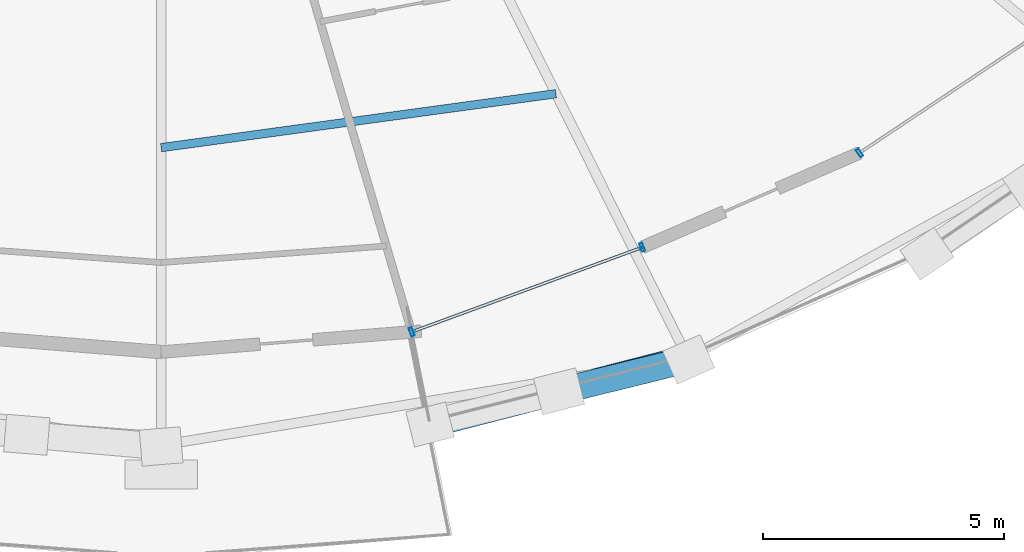
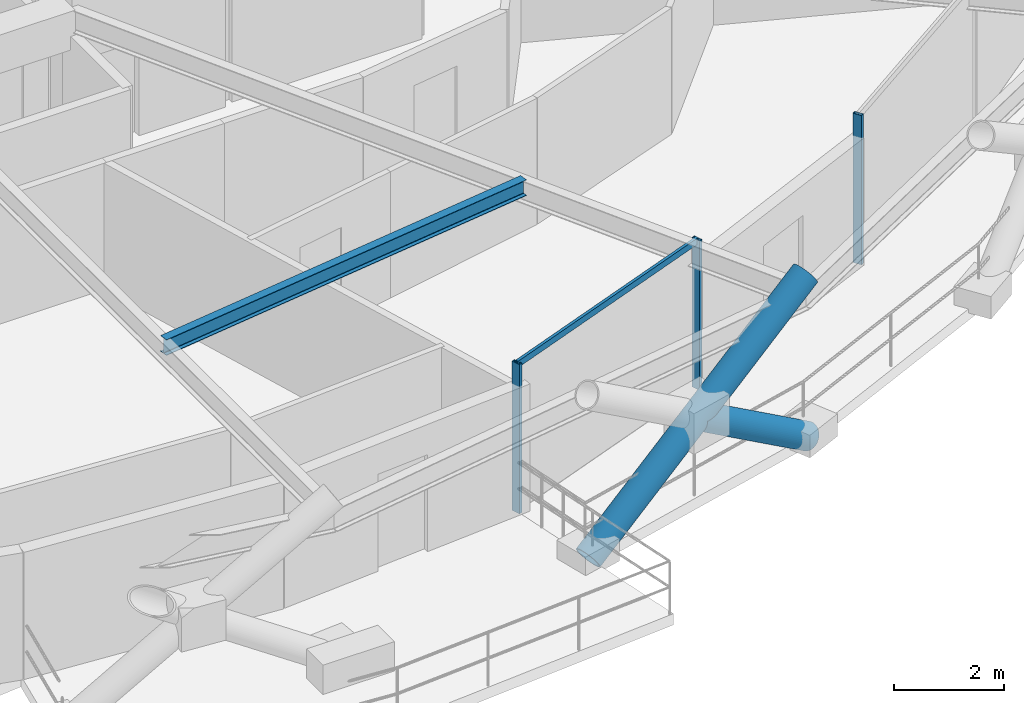
# One storey, part 2 of 12: 6 members, 1 beam, 2 elements without a shape of their own.
"""IFC4 building model written with IfcOpenShell, lengths in metres."""

import ifcopenshell
import ifcopenshell.guid

model = None  # the IFC model being written
_history = None  # IfcOwnerHistory: only IFC2X3 demands one
_inside = {}  # id of a spatial element -> (the spatial element, [elements in it])
_under = {}  # id of a project, library or spatial element -> (it, [spatial elements below it])
_declared = {}  # id of a project -> (the project, [libraries it declares])
_typed = {}  # id of a type object -> (the type object, [elements of that type])
_made_of = {}  # id of a material, layer set ... -> (it, [elements and type objects made of it])


def new_model(schema):
    """Start an empty IFC model of exactly this schema.

    Asked for "IFC4X3", IfcOpenShell would pick the latest addendum, in which some entities
    have other attributes; the version numbers below select the first issue.
    IFC2X3 requires an IfcOwnerHistory on every rooted entity: one is made here for all.
    """
    global model, _history
    if schema == "IFC4X3":
        model = ifcopenshell.file(schema_version=(4, 3, 0, 0))
    else:
        model = ifcopenshell.file(schema=schema)
    _inside.clear()
    _under.clear()
    _declared.clear()
    _typed.clear()
    _made_of.clear()
    _history = None
    if model.schema == "IFC2X3":
        org = make("IfcOrganization", Name="unknown")
        user = make(
            "IfcPersonAndOrganization",
            ThePerson=make("IfcPerson", FamilyName="unknown"),
            TheOrganization=org,
        )
        app = make(
            "IfcApplication",
            ApplicationDeveloper=org,
            Version="unknown",
            ApplicationFullName="unknown",
            ApplicationIdentifier="unknown",
        )
        _history = make(
            "IfcOwnerHistory",
            OwningUser=user,
            OwningApplication=app,
            ChangeAction="ADDED",
            CreationDate=0,
        )
    return model


def make(cls, **values):
    """One entity of the class cls with the attributes given. An attribute that is None is left unset."""
    return model.create_entity(
        cls, **{name: value for name, value in values.items() if value is not None}
    )


def rooted(cls, **values):
    """An entity with a GlobalId (a new one), such as an element, a storey or a relation."""
    return make(cls, GlobalId=ifcopenshell.guid.new(), OwnerHistory=_history, **values)


def si_unit(unit_type, name, prefix=None):
    """IfcSIUnit, for example si_unit("LENGTHUNIT", "METRE", prefix="MILLI")."""
    return make("IfcSIUnit", UnitType=unit_type, Prefix=prefix, Name=name)


def assignment(units):
    """IfcUnitAssignment: the units of a project."""
    return None if units is None else make("IfcUnitAssignment", Units=units)


def point(xyz):
    """IfcCartesianPoint."""
    return None if xyz is None else make("IfcCartesianPoint", Coordinates=xyz)


def direction(xyz):
    """IfcDirection."""
    return None if xyz is None else make("IfcDirection", DirectionRatios=xyz)


def frame(location, z_axis=None, x_axis=None):
    """IfcAxis2Placement3D, a coordinate frame: its origin and axes. An axis left out is left unset."""
    return make(
        "IfcAxis2Placement3D",
        Location=point(location),
        Axis=direction(z_axis),
        RefDirection=direction(x_axis),
    )


def frame_2d(location, x_axis=None):
    """IfcAxis2Placement2D, a coordinate frame in the plane: its origin and x axis."""
    return make(
        "IfcAxis2Placement2D", Location=point(location), RefDirection=direction(x_axis)
    )


def origin():
    """The frame at (0, 0, 0) with its axes left unset."""
    return frame((0.0, 0.0, 0.0))


def origin_2d():
    """The frame at (0, 0) in the plane with its x axis left unset."""
    return frame_2d((0.0, 0.0))


def place(relative_to, where):
    """IfcLocalPlacement: puts the frame where relative to a parent placement (None: the world)."""
    return make(
        "IfcLocalPlacement", PlacementRelTo=relative_to, RelativePlacement=where
    )


def context(
    kind, dimensions, precision=None, world=None, true_north=None, identifier=None
):
    """IfcGeometricRepresentationContext, for example the 3D "Model" context."""
    return make(
        "IfcGeometricRepresentationContext",
        ContextIdentifier=identifier,
        ContextType=kind,
        CoordinateSpaceDimension=dimensions,
        Precision=precision,
        WorldCoordinateSystem=world,
        TrueNorth=true_north,
    )


def subcontext(parent, identifier, kind, view, scale=None):
    """IfcGeometricRepresentationSubContext, for example "Body" below "Model"."""
    return make(
        "IfcGeometricRepresentationSubContext",
        ContextIdentifier=identifier,
        ContextType=kind,
        ParentContext=parent,
        TargetScale=scale,
        TargetView=view,
    )


def project(units=None, contexts=None):
    """IfcProject with its units and contexts."""
    return rooted(
        "IfcProject",
        Name="project",
        RepresentationContexts=contexts,
        UnitsInContext=assignment(units),
    )


def spatial(cls, under=None, at=None, **own):
    """A site, building, storey or space (cls), placed at a placement, below another one or the project."""
    s = rooted(cls, ObjectPlacement=at, **own)
    if under is not None:
        _under.setdefault(under.id(), (under, []))[1].append(s)
    return s


def profile(cls, at=None, kind="AREA", **sizes):
    """A parametric profile (cls). Its sizes go by their IFC names, for example OverallWidth=200.0."""
    return make(cls, ProfileType=kind, Position=at, **sizes)


def hollow_rectangle(**sizes):
    """IfcRectangleHollowProfileDef."""
    return profile("IfcRectangleHollowProfileDef", **sizes)


def hollow_circle(**sizes):
    """IfcCircleHollowProfileDef."""
    return profile("IfcCircleHollowProfileDef", **sizes)


def i_section(**sizes):
    """IfcIShapeProfileDef."""
    return profile("IfcIShapeProfileDef", **sizes)


def extrude(swept, where, along, depth):
    """IfcExtrudedAreaSolid: the profile swept, set in the frame where, extruded along a direction by depth."""
    return make(
        "IfcExtrudedAreaSolid",
        SweptArea=swept,
        Position=where,
        ExtrudedDirection=direction(along),
        Depth=depth,
    )


def shape(context_of_items, identifier, shape_type, items):
    """IfcShapeRepresentation: the items that make up one representation, for example the "Body"."""
    return make(
        "IfcShapeRepresentation",
        ContextOfItems=context_of_items,
        RepresentationIdentifier=identifier,
        RepresentationType=shape_type,
        Items=items,
    )


def material(Name=None, Category=None):
    """IfcMaterial."""
    return make("IfcMaterial", Name=Name, Category=Category)


def layer(
    of_material, thickness, ventilated=None, Name=None, Category=None, Priority=None
):
    """IfcMaterialLayer: one layer of a wall or slab, of a material (None: an air gap)."""
    return make(
        "IfcMaterialLayer",
        Material=of_material,
        LayerThickness=thickness,
        IsVentilated=ventilated,
        Name=Name,
        Category=Category,
        Priority=Priority,
    )


def layer_set(layers, Name=None):
    """IfcMaterialLayerSet."""
    return make("IfcMaterialLayerSet", MaterialLayers=layers, LayerSetName=Name)


def material_profile(
    of_material, cross_section, Name=None, Category=None, Priority=None
):
    """IfcMaterialProfile: a cross section and its material."""
    return make(
        "IfcMaterialProfile",
        Name=Name,
        Material=of_material,
        Profile=cross_section,
        Priority=Priority,
        Category=Category,
    )


def profile_set(profiles, Name=None, composite=None):
    """IfcMaterialProfileSet."""
    return make(
        "IfcMaterialProfileSet",
        Name=Name,
        MaterialProfiles=profiles,
        CompositeProfile=composite,
    )


def made_of(thing, what):
    """Note that an element or type object is made of a material, layer set ...; save() writes the relation."""
    if what is not None:
        _made_of.setdefault(what.id(), (what, []))[1].append(thing)
    return thing


def type_object(cls, material=None, **own):
    """A type object (cls), such as IfcWallType, which elements share."""
    return made_of(rooted(cls, **own), material)


def element(
    cls,
    number,
    at=None,
    inside=None,
    cuts=None,
    type_object=None,
    material=None,
    context=None,
    identifier="Body",
    shape_type=None,
    held_by="IfcProductDefinitionShape",
    body=None,
    shapes=None,
    **own,
):
    """One element of the class cls, such as IfcWall. Its Tag is "e" and its number.

    at: its placement. inside: the storey or other place that contains it. cuts: it is an
    opening in that element (IfcRelVoidsElement). A single representation is given by context,
    identifier, shape_type and body (its items); several are given by shapes. held_by: the class
    of the entity that holds the representations. save() writes the other relations.
    """
    e = rooted(cls, Tag="e%d" % number, ObjectPlacement=at, **own)
    if body is not None:
        shapes = [shape(context, identifier, shape_type, body)]
    if shapes is not None:
        e.Representation = make(held_by, Representations=shapes)
    if inside is not None:
        _inside.setdefault(inside.id(), (inside, []))[1].append(e)
    if cuts is not None:
        rooted(
            "IfcRelVoidsElement", RelatingBuildingElement=cuts, RelatedOpeningElement=e
        )
    if type_object is not None:
        _typed.setdefault(type_object.id(), (type_object, []))[1].append(e)
    return made_of(e, material)


def aggregate(whole, parts):
    """IfcRelAggregates: a whole, such as a stair, and the parts it consists of."""
    return rooted("IfcRelAggregates", RelatingObject=whole, RelatedObjects=parts)


def save(model, path):
    """Write the relations noted so far, then the file.

    IfcRelAggregates (storeys below a building ...), IfcRelContainedInSpatialStructure (elements
    in a storey), IfcRelDefinesByType, IfcRelAssociatesMaterial and IfcRelDeclares: one each for
    every whole, place, type object, material and project.
    """
    for whole, parts in _under.values():
        aggregate(whole, parts)
    for where, things in _inside.values():
        rooted(
            "IfcRelContainedInSpatialStructure",
            RelatedElements=things,
            RelatingStructure=where,
        )
    for kind, things in _typed.values():
        rooted("IfcRelDefinesByType", RelatedObjects=things, RelatingType=kind)
    for what, things in _made_of.values():
        rooted("IfcRelAssociatesMaterial", RelatedObjects=things, RelatingMaterial=what)
    for by, libraries in _declared.values():
        rooted("IfcRelDeclares", RelatingContext=by, RelatedDefinitions=libraries)
    model.write(path)


model = new_model("IFC4")

# Units and contexts
model_context = context("Model", 3, precision=1e-05, world=origin(), true_north=direction((0.0, 1.0)))
body_context = subcontext(model_context, "Body", "Model", "MODEL_VIEW")
ifc_project = project(units=[si_unit("LENGTHUNIT", "METRE"), si_unit("AREAUNIT", "SQUARE_METRE"), si_unit("VOLUMEUNIT", "CUBIC_METRE"), si_unit("PLANEANGLEUNIT", "RADIAN"), si_unit("MASSUNIT", "GRAM", prefix="KILO")], contexts=[model_context])

# Site, building, storey
site_placement = place(None, origin())
site = spatial("IfcSite", under=ifc_project, at=site_placement, CompositionType="ELEMENT")
building_placement = place(site_placement, origin())
building = spatial("IfcBuilding", under=site, at=building_placement, Name="Veldorina Hangang Commons", CompositionType="ELEMENT")
storey_placement = place(building_placement, frame((0.0, 0.0, 124.39990234375)))
storey = spatial("IfcBuildingStorey", under=building, at=storey_placement, Name="L31", CompositionType="ELEMENT", Elevation=124.39990234375)

# Beam
ifc_material_1 = material(Name="Steel SM355-TMC", Category="steel")
ifc_material_profile_1 = material_profile(ifc_material_1, i_section(OverallWidth=0.175048828125, OverallDepth=0.35009765625, WebThickness=0.007080078125, FlangeThickness=0.010986328125, FilletRadius=0.012939453125, at=origin_2d()), Name="H-350x175x7x11")
ifc_profile_set_1 = profile_set([ifc_material_profile_1], Name="Steel SM355-TMC")
beam_type = type_object("IfcBeamType", Name="BM-JST350", PredefinedType="JOIST", material=ifc_profile_set_1)
beam_placement = place(storey_placement, frame((32.0, 6.46630859375, 3.175048828125), z_axis=(0.990809146924, 0.13526727014, 0.0), x_axis=(-0.13526727014, 0.990809146924, 0.0)))
element("IfcBeam", 1, at=beam_placement, inside=storey, type_object=beam_type, Name="L31 secondary floor joist 13", PredefinedType="JOIST", context=body_context, shape_type="SweptSolid", body=[
    extrude(i_section(OverallWidth=0.175048828125, OverallDepth=0.35009765625, WebThickness=0.007080078125, FlangeThickness=0.010986328125, FilletRadius=0.012939453125, at=origin_2d()), origin(), (0.0, 0.0, 1.0), 8.2734375),
])

# Curtain wall, members
ifc_material_2 = material(Name="Glass Low-E Triple IGU", Category="glass")
ifc_layer = layer(ifc_material_2, 0.179931640625)
ifc_layer_set = layer_set([ifc_layer], Name="Glass Low-E Triple IGU")
curtain_wall_type = type_object("IfcCurtainWallType", Name="CW-SYS-Z2", PredefinedType="NOTDEFINED", material=ifc_layer_set)
curtain_wall_1_placement = place(storey_placement, origin())
curtain_wall_1 = element("IfcCurtainWall", 2, at=curtain_wall_1_placement, inside=storey, type_object=curtain_wall_type, Name="L31 unitised curtain wall CW-L31-R1", PredefinedType="NOTDEFINED")
ifc_material_3 = material(Name="Aluminium Anodized AA6063-T6", Category="aluminium")
ifc_material_profile_2 = material_profile(ifc_material_3, hollow_rectangle(XDim=0.070068359375, YDim=0.179931640625, WallThickness=0.00390625, at=origin_2d()), Name="ALU-RHS-180x70x4")
ifc_profile_set_2 = profile_set([ifc_material_profile_2], Name="Aluminium Anodized AA6063-T6")
member_type_1 = type_object("IfcMemberType", Name="CW-MUL-180", PredefinedType="MULLION", material=ifc_profile_set_2)
member_1_placement = place(storey_placement, frame((37.202392578125, 2.639892578125, 0.0), z_axis=(0.0, 0.0, 1.0), x_axis=(0.938812030489, 0.344429922349, 0.0)))
member_1 = element("IfcMember", 3, at=member_1_placement, type_object=member_type_1, Name="CW-L31-R1 vertical mullion 1", PredefinedType="MULLION", context=body_context, shape_type="SweptSolid", body=[
    extrude(hollow_rectangle(XDim=0.070068359375, YDim=0.179931640625, WallThickness=0.00390625, at=origin_2d()), origin(), (0.0, 0.0, 1.0), 3.31005859375),
])
member_2_placement = place(storey_placement, frame((41.990478515625, 4.396484375, 0.0), z_axis=(0.0, 0.0, 1.0), x_axis=(-0.938812030489, -0.344429922349, 0.0)))
member_2 = element("IfcMember", 4, at=member_2_placement, type_object=member_type_1, Name="CW-L31-R1 vertical mullion 2", PredefinedType="MULLION", context=body_context, shape_type="SweptSolid", body=[
    extrude(hollow_rectangle(XDim=0.070068359375, YDim=0.179931640625, WallThickness=0.00390625, at=origin_2d()), origin(), (0.0, 0.0, 1.0), 3.31005859375),
])

# Curtain wall, member
curtain_wall_2_placement = place(storey_placement, origin())
curtain_wall_2 = element("IfcCurtainWall", 5, at=curtain_wall_2_placement, inside=storey, type_object=curtain_wall_type, Name="L31 unitised curtain wall CW-L31-R2", PredefinedType="NOTDEFINED")
member_3_placement = place(storey_placement, frame((46.50390625, 6.357421875, 0.0), z_axis=(0.0, 0.0, 1.0), x_axis=(0.831925069404, 0.554887987703, 0.0)))
member_3 = element("IfcMember", 6, at=member_3_placement, type_object=member_type_1, Name="CW-L31-R2 vertical mullion 1", PredefinedType="MULLION", context=body_context, shape_type="SweptSolid", body=[
    extrude(hollow_rectangle(XDim=0.070068359375, YDim=0.179931640625, WallThickness=0.00390625, at=origin_2d()), origin(), (0.0, 0.0, 1.0), 3.31005859375),
])
aggregate(curtain_wall_2, [member_3])

# Member
ifc_material_profile_3 = material_profile(ifc_material_3, hollow_rectangle(XDim=0.06005859375, YDim=0.139892578125, WallThickness=0.00341796875, at=origin_2d()), Name="ALU-RHS-140x60x3.5")
ifc_profile_set_3 = profile_set([ifc_material_profile_3], Name="Aluminium Anodized AA6063-T6")
member_type_2 = type_object("IfcMemberType", Name="CW-TRN-140", PredefinedType="USERDEFINED", material=ifc_profile_set_3)
member_4_placement = place(storey_placement, frame((37.202392578125, 2.639892578125, 3.27001953125), z_axis=(0.938815444672, 0.344420616174, 0.0), x_axis=(-0.344420616174, 0.938815444672, 0.0)))
member_4 = element("IfcMember", 7, at=member_4_placement, type_object=member_type_2, Name="CW-L31-R1 facet 1 transom 1", ObjectType="TRANSOM", PredefinedType="USERDEFINED", context=body_context, shape_type="SweptSolid", body=[
    extrude(hollow_rectangle(XDim=0.06005859375, YDim=0.139892578125, WallThickness=0.00341796875, at=origin_2d()), origin(), (0.0, 0.0, 1.0), 5.10009765625),
])

aggregate(curtain_wall_1, [member_1, member_2, member_4])

# Members
ifc_material_4 = material(Name="Steel SM420-TMC", Category="steel")
ifc_material_profile_4 = material_profile(ifc_material_4, hollow_circle(Radius=0.27490234375, WallThickness=0.028076171875, at=origin_2d()), Name="CHS-550x28")
ifc_profile_set_4 = profile_set([ifc_material_profile_4], Name="Steel SM420-TMC")
member_type_3 = type_object("IfcMemberType", Name="DG-CHS550", PredefinedType="BRACE", material=ifc_profile_set_4)
member_5_placement = place(storey_placement, frame((37.584716796875, 0.717529296875, 0.0), z_axis=(0.811578937087, 0.208778422535, 0.545665831036), x_axis=(-0.249138077434, 0.968467974882, 0.0)))
element("IfcMember", 8, at=member_5_placement, inside=storey, type_object=member_type_3, Name="L31 continuous perimeter diagrid brace 25", PredefinedType="BRACE", context=body_context, shape_type="SweptSolid", body=[
    extrude(hollow_circle(Radius=0.27490234375, WallThickness=0.028076171875, at=origin_2d()), origin(), (0.0, 0.0, 1.0), 6.59765625),
])
member_6_placement = place(storey_placement, frame((42.954833984375, 2.068359375, 0.0), z_axis=(-0.814151020539, -0.200176852265, 0.545057192937), x_axis=(0.238760881818, -0.971078390921, 0.0)))
element("IfcMember", 9, at=member_6_placement, inside=storey, type_object=member_type_3, Name="L31 split perimeter diagrid lower brace 26", PredefinedType="BRACE", context=body_context, shape_type="SweptSolid", body=[
    extrude(hollow_circle(Radius=0.27490234375, WallThickness=0.028076171875, at=origin_2d()), origin(), (0.0, 0.0, 1.0), 3.30517578125),
])

save(model, "model.ifc")
